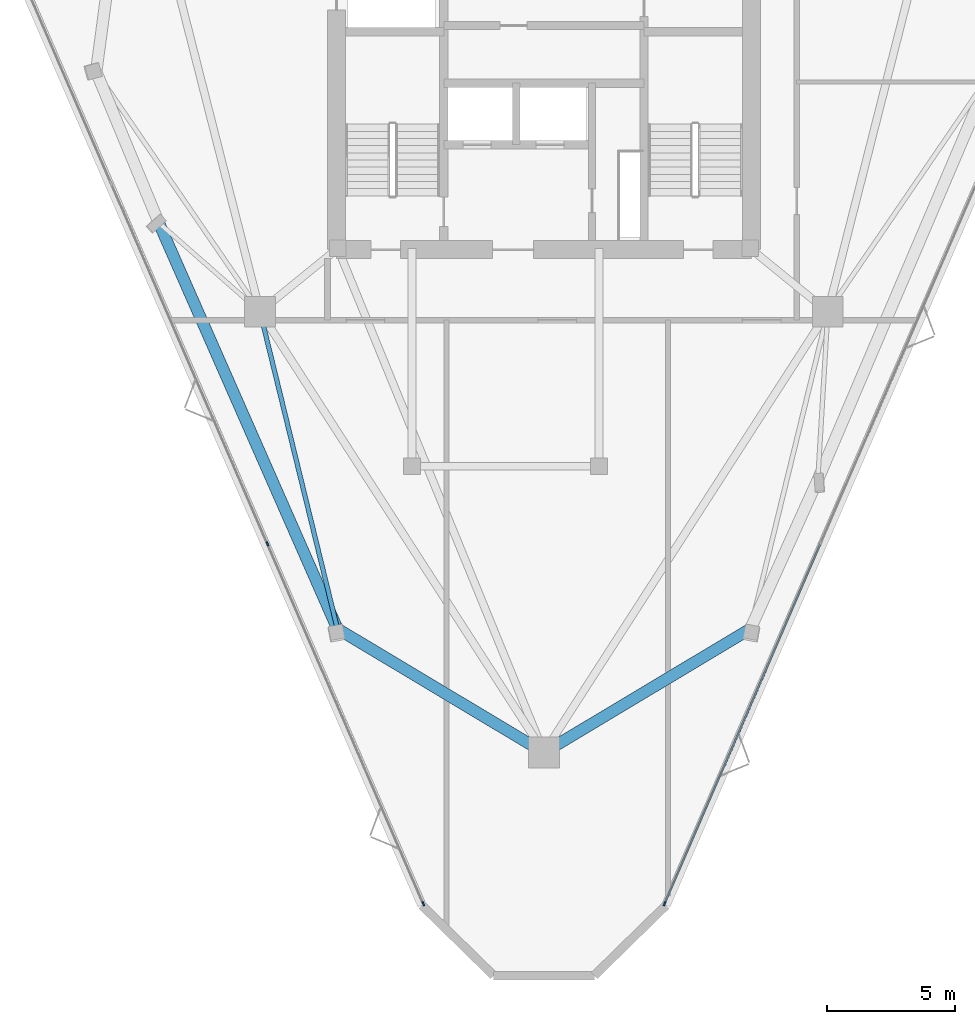
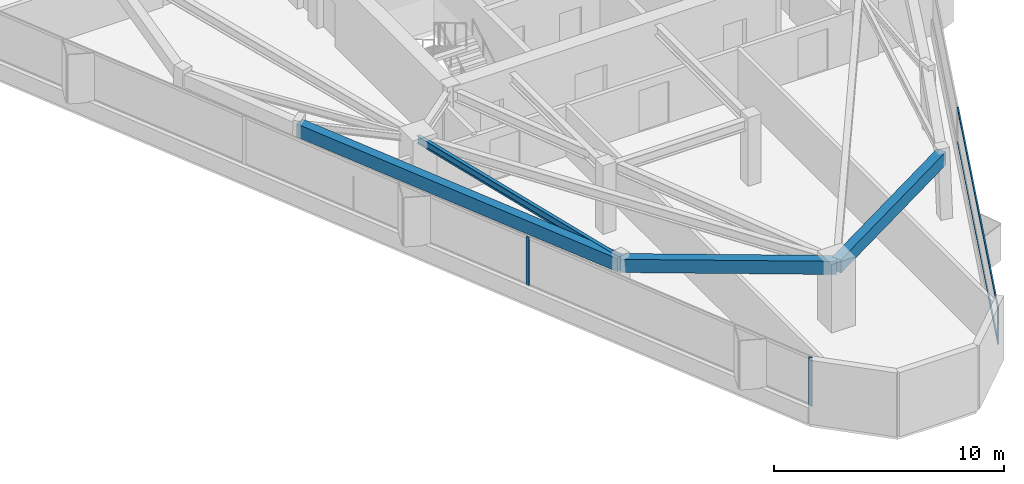
# One storey, part 2 of 11: 5 members, 4 beams, 2 elements without a shape of their own.
"""IFC4 building model written with IfcOpenShell, lengths in metres."""

from ifc_helpers import new_model, si_unit, direction, frame, origin, origin_2d, place, context, subcontext, project, spatial, rectangle, i_section, extrude, material, layer, layer_set, material_profile, profile_set, type_object, element, aggregate, save


model = new_model("IFC4")

# Units and contexts
model_context = context("Model", 3, precision=1e-05, world=origin(), true_north=direction((0.0, 1.0)))
body_context = subcontext(model_context, "Body", "Model", "MODEL_VIEW")
ifc_project = project(units=[si_unit("LENGTHUNIT", "METRE"), si_unit("AREAUNIT", "SQUARE_METRE"), si_unit("VOLUMEUNIT", "CUBIC_METRE"), si_unit("PLANEANGLEUNIT", "RADIAN"), si_unit("MASSUNIT", "GRAM", prefix="KILO")], contexts=[model_context])

# Site, building, storey
site_placement = place(None, origin())
site = spatial("IfcSite", under=ifc_project, at=site_placement, CompositionType="ELEMENT")
building_placement = place(site_placement, origin())
building = spatial("IfcBuilding", under=site, at=building_placement, Name="Talyreon Biosciences Tower", CompositionType="ELEMENT")
storey_placement = place(building_placement, frame((0.0, 0.0, 249.85009765625)))
storey = spatial("IfcBuildingStorey", under=building, at=storey_placement, Name="L66", CompositionType="ELEMENT", Elevation=249.85009765625)

# Curtain wall, members
ifc_material_1 = material(Name="Thermally broken aluminium and low-E glazing", Category="aluminium")
ifc_layer = layer(ifc_material_1, 0.175048828125)
ifc_layer_set = layer_set([ifc_layer], Name="Thermally broken aluminium and low-E glazing")
curtain_wall_type = type_object("IfcCurtainWallType", Name="CurtainWall_Zone5CompLab", PredefinedType="NOTDEFINED", material=ifc_layer_set)
curtain_wall_1_placement = place(storey_placement, origin())
curtain_wall_1 = element("IfcCurtainWall", 1, at=curtain_wall_1_placement, inside=storey, type_object=curtain_wall_type, Name="L66 Unitised Curtain Wall FCW-L66-00", PredefinedType="NOTDEFINED")
ifc_material_2 = material(Name="Anodised thermally broken aluminium", Category="aluminium")
ifc_material_profile_1 = material_profile(ifc_material_2, rectangle(XDim=0.06494140625, YDim=0.179931640625, at=origin_2d()), Name="ALUM MULLION 65x180")
ifc_profile_set_1 = profile_set([ifc_material_profile_1], Name="Anodised thermally broken aluminium")
member_type_1 = type_object("IfcMemberType", Name="CWMullion_65x180", PredefinedType="MULLION", material=ifc_profile_set_1)
member_1_placement = place(storey_placement, frame((61.2890625, 35.763671875, 0.809814453125), z_axis=(0.0, 0.0, 1.0), x_axis=(-0.91758594353, -0.397537465198, 0.0)))
member_1 = element("IfcMember", 2, at=member_1_placement, type_object=member_type_1, Name="CW6 mullion 1", PredefinedType="MULLION", context=body_context, shape_type="SweptSolid", body=[
    extrude(rectangle(XDim=0.06494140625, YDim=0.179931640625, at=origin_2d()), origin(), (0.0, 0.0, 1.0), 2.590087890625),
])
member_2_placement = place(storey_placement, frame((55.20068359375, 49.816650390625, 0.809814453125), z_axis=(0.0, 0.0, 1.0), x_axis=(-0.91758594353, -0.397537465198, 0.0)))
member_2 = element("IfcMember", 3, at=member_2_placement, type_object=member_type_1, Name="CW6 mullion 2", PredefinedType="MULLION", context=body_context, shape_type="SweptSolid", body=[
    extrude(rectangle(XDim=0.06494140625, YDim=0.179931640625, at=origin_2d()), origin(), (0.0, 0.0, 1.0), 2.590087890625),
])
aggregate(curtain_wall_1, [member_1, member_2])

curtain_wall_2_placement = place(storey_placement, origin())
curtain_wall_2 = element("IfcCurtainWall", 4, at=curtain_wall_2_placement, inside=storey, type_object=curtain_wall_type, Name="L66 Unitised Curtain Wall FCW-L66-08", PredefinedType="NOTDEFINED")
member_3_placement = place(storey_placement, frame((70.7109375, 35.763671875, 0.809814453125), z_axis=(0.0, 0.0, 1.0), x_axis=(0.91758594353, -0.397537465198, 0.0)))
member_3 = element("IfcMember", 5, at=member_3_placement, type_object=member_type_1, Name="CW6 mullion 4", PredefinedType="MULLION", context=body_context, shape_type="SweptSolid", body=[
    extrude(rectangle(XDim=0.06494140625, YDim=0.179931640625, at=origin_2d()), origin(), (0.0, 0.0, 1.0), 1.89013671875),
])
ifc_material_profile_2 = material_profile(ifc_material_2, rectangle(XDim=0.06494140625, YDim=0.139892578125, at=origin_2d()), Name="ALUM TRANSOM 65x140")
ifc_profile_set_2 = profile_set([ifc_material_profile_2], Name="Anodised thermally broken aluminium")
member_type_2 = type_object("IfcMemberType", Name="CWTransom_65x140", PredefinedType="USERDEFINED", material=ifc_profile_set_2)
member_4_placement = place(storey_placement, frame((76.786376953125, 49.786865234375, 0.84228515625), z_axis=(-0.397535103943, -0.917586966523, 0.0), x_axis=(0.917586966523, -0.397535103943, 0.0)))
member_4 = element("IfcMember", 6, at=member_4_placement, type_object=member_type_2, Name="CW6 transom 3.1", ObjectType="TRANSOM", PredefinedType="USERDEFINED", context=body_context, shape_type="SweptSolid", body=[
    extrude(rectangle(XDim=0.06494140625, YDim=0.139892578125, at=origin_2d()), origin(), (0.0, 0.0, 1.0), 15.250244140625),
])
member_5_placement = place(storey_placement, frame((76.786376953125, 49.786865234375, 2.66748046875), z_axis=(-0.397535103943, -0.917586966523, 0.0), x_axis=(0.917586966523, -0.397535103943, 0.0)))
member_5 = element("IfcMember", 7, at=member_5_placement, type_object=member_type_2, Name="CW6 transom 3.2", ObjectType="TRANSOM", PredefinedType="USERDEFINED", context=body_context, shape_type="SweptSolid", body=[
    extrude(rectangle(XDim=0.06494140625, YDim=0.139892578125, at=origin_2d()), origin(), (0.0, 0.0, 1.0), 15.250244140625),
])
aggregate(curtain_wall_2, [member_3, member_4, member_5])

# Beams
ifc_material_3 = material(Name="Precast concrete C45/55", Category="concrete")
ifc_material_profile_3 = material_profile(ifc_material_3, rectangle(XDim=0.449951171875, YDim=0.699951171875, at=origin_2d()), Name="RCB 450x700")
ifc_profile_set_3 = profile_set([ifc_material_profile_3], Name="Precast concrete C45/55")
beam_type_1 = type_object("IfcBeamType", Name="ExpressedSpandrel_450x700", PredefinedType="SPANDREL", material=ifc_profile_set_3)
beam_1_placement = place(storey_placement, frame((66.0, 41.6669921875, 3.0498046875), z_axis=(0.857854782492, 0.513892179503, 0.0), x_axis=(-0.513892179503, 0.857854782492, 0.0)))
element("IfcBeam", 8, at=beam_1_placement, inside=storey, type_object=beam_type_1, Name="L66 Expressed Horizontal Concrete Spandrel 01", PredefinedType="SPANDREL", context=body_context, shape_type="SweptSolid", body=[
    extrude(rectangle(XDim=0.449951171875, YDim=0.699951171875, at=origin_2d()), origin(), (0.0, 0.0, 1.0), 9.400390625),
])
beam_2_placement = place(storey_placement, frame((50.960205078125, 62.35205078125, 3.0498046875), z_axis=(0.402724915909, -0.915321059577, 0.0), x_axis=(0.915321059577, 0.402724915909, 0.0)))
element("IfcBeam", 9, at=beam_2_placement, inside=storey, type_object=beam_type_1, Name="L66 Expressed Horizontal Concrete Spandrel 11", PredefinedType="SPANDREL", context=body_context, shape_type="SweptSolid", body=[
    extrude(rectangle(XDim=0.449951171875, YDim=0.699951171875, at=origin_2d()), origin(), (0.0, 0.0, 1.0), 17.321044921875),
])
beam_3_placement = place(storey_placement, frame((57.935791015625, 46.497802734375, 3.0498046875), z_axis=(0.857854782492, -0.513892179503, 0.0), x_axis=(0.513892179503, 0.857854782492, 0.0)))
element("IfcBeam", 10, at=beam_3_placement, inside=storey, type_object=beam_type_1, Name="L66 Expressed Horizontal Concrete Spandrel 12", PredefinedType="SPANDREL", context=body_context, shape_type="SweptSolid", body=[
    extrude(rectangle(XDim=0.449951171875, YDim=0.699951171875, at=origin_2d()), origin(), (0.0, 0.0, 1.0), 9.400390625),
])
ifc_material_4 = material(Name="Steel SM355", Category="steel")
ifc_material_profile_4 = material_profile(ifc_material_4, i_section(OverallWidth=0.179931640625, OverallDepth=0.39990234375, WebThickness=0.008544921875, FlangeThickness=0.013427734375, FilletRadius=0.02099609375, at=origin_2d()), Name="IPE400")
ifc_profile_set_4 = profile_set([ifc_material_profile_4], Name="Steel SM355")
beam_type_2 = type_object("IfcBeamType", Name="SteelJoist_IPE400", PredefinedType="JOIST", material=ifc_profile_set_4)
beam_4_placement = place(storey_placement, frame((54.913818359375, 58.88037109375, 3.199951171875), z_axis=(0.237091989535, -0.971487204495, 0.0), x_axis=(0.971487204495, 0.237091989535, 0.0)))
element("IfcBeam", 11, at=beam_4_placement, inside=storey, type_object=beam_type_2, Name="L66 Radial Composite Floor Joist PC-SW2", PredefinedType="JOIST", context=body_context, shape_type="SweptSolid", body=[
    extrude(i_section(OverallWidth=0.179931640625, OverallDepth=0.39990234375, WebThickness=0.008544921875, FlangeThickness=0.013427734375, FilletRadius=0.02099609375, at=origin_2d()), origin(), (0.0, 0.0, 1.0), 12.74609375),
])

save(model, "model.ifc")
